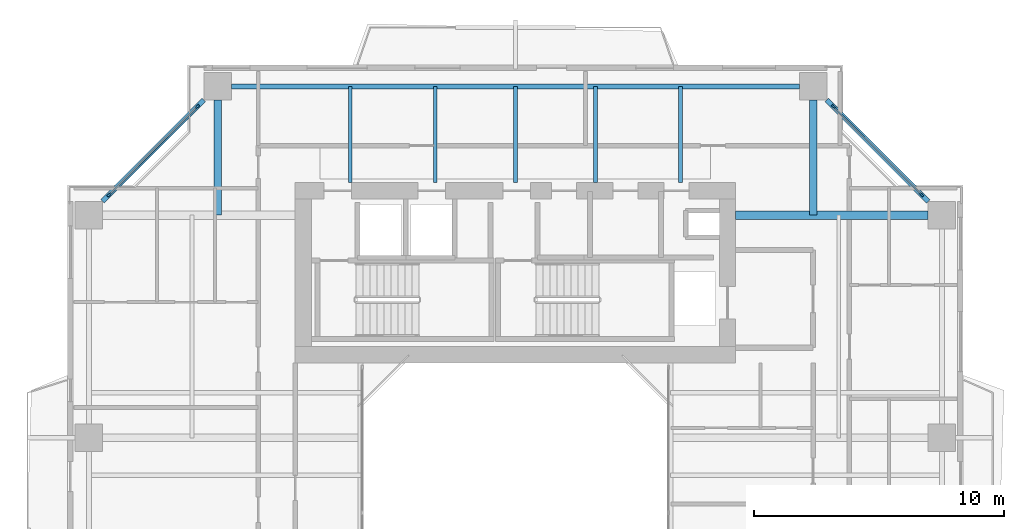
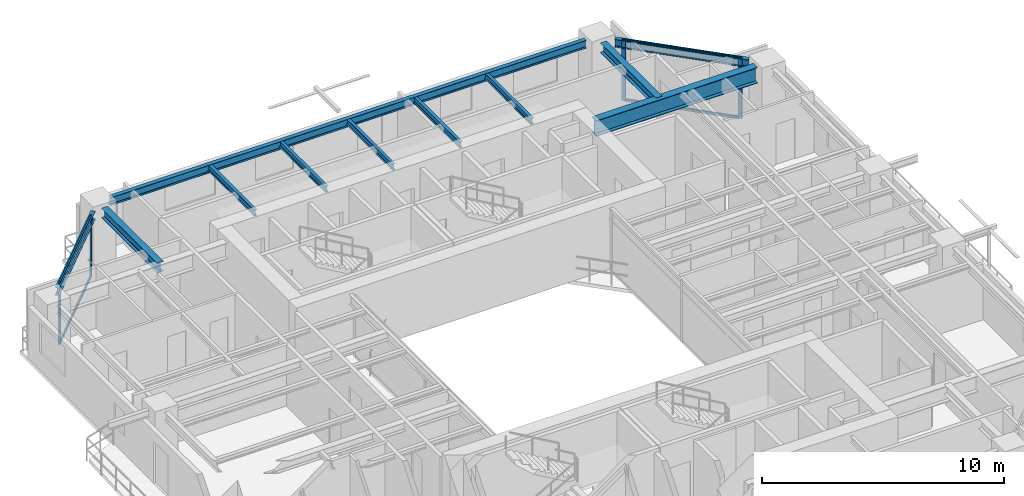
# One storey, part 8 of 17: 11 beams, 8 members, 2 elements without a shape of their own.
"""IFC4 building model written with IfcOpenShell, lengths in metres."""

from ifc_helpers import new_model, si_unit, direction, frame, origin, origin_2d, place, context, subcontext, project, spatial, rectangle, i_section, extrude, source, transform, mapped, material, layer, layer_set, material_profile, profile_set, type_object, element, aggregate, save


model = new_model("IFC4")

# Units and contexts
model_context = context("Model", 3, precision=1e-05, world=origin(), true_north=direction((0.0, 1.0)))
body_context = subcontext(model_context, "Body", "Model", "MODEL_VIEW")
ifc_project = project(units=[si_unit("LENGTHUNIT", "METRE"), si_unit("AREAUNIT", "SQUARE_METRE"), si_unit("VOLUMEUNIT", "CUBIC_METRE"), si_unit("PLANEANGLEUNIT", "RADIAN"), si_unit("MASSUNIT", "GRAM", prefix="KILO"), si_unit("THERMODYNAMICTEMPERATUREUNIT", "KELVIN"), si_unit("POWERUNIT", "WATT")], contexts=[model_context])

# Site, building, storey
site_placement = place(None, origin())
site = spatial("IfcSite", under=ifc_project, at=site_placement, CompositionType="ELEMENT")
building_placement = place(site_placement, origin())
building = spatial("IfcBuilding", under=site, at=building_placement, Name="Qiaomeng Ring Towers", CompositionType="ELEMENT")
storey_placement = place(building_placement, frame((0.0, 0.0, 129.5)))
storey = spatial("IfcBuildingStorey", under=building, at=storey_placement, Name="L37", CompositionType="ELEMENT", Elevation=129.5)

# Beams
ifc_material_1 = material(Name="Steel Q355B", Category="steel")
ifc_material_profile_1 = material_profile(ifc_material_1, i_section(OverallWidth=0.199951171875, OverallDepth=0.39990234375, WebThickness=0.008056640625, FlangeThickness=0.012939453125, FilletRadius=0.01611328125, at=origin_2d()), Name="HN 400x200x8x13")
ifc_profile_set_1 = profile_set([ifc_material_profile_1], Name="Steel Q355B")
beam_type_1 = type_object("IfcBeamType", Name="STR-BM-HN400", PredefinedType="SPANDREL", material=ifc_profile_set_1)
shared_shape_1 = source(origin(), body_context, "Body", "SweptSolid", [
    extrude(i_section(OverallWidth=0.199951171875, OverallDepth=0.39990234375, WebThickness=0.008056640625, FlangeThickness=0.012939453125, FilletRadius=0.01611328125, at=origin_2d()), origin(), (0.0, 0.0, 1.0), 22.7021484375),
])
beam_1_placement = place(storey_placement, frame((30.35107421875, 40.050048828125, 2.8701171875), z_axis=(-1.0, 0.0, 0.0), x_axis=(0.0, -1.0, 0.0)))
element("IfcBeam", 1, at=beam_1_placement, inside=storey, type_object=beam_type_1, Name="L37 beam STR-SP-L37-T1-N2-N1", PredefinedType="SPANDREL", context=body_context, shape_type="MappedRepresentation", body=[
    mapped(shared_shape_1, transform((0.0, 0.0, 0.0), x_axis=(1.0, 0.0, 0.0), y_axis=(0.0, 1.0, 0.0), z_axis=(0.0, 0.0, 1.0), scale=1.0)),
])
shared_shape_2 = source(origin(), body_context, "Body", "SweptSolid", [
    extrude(i_section(OverallWidth=0.199951171875, OverallDepth=0.39990234375, WebThickness=0.008056640625, FlangeThickness=0.012939453125, FilletRadius=0.01611328125, at=origin_2d()), origin(), (0.0, 0.0, 1.0), 5.729736328125),
])
for number, where, z_axis, x_axis, name in (
    (2, (35.500732421875, 35.44921875, 2.8701171875), (-0.707106781187, 0.707106781187, 0.0), (-0.707106781187, -0.707106781187, 0.0), "L37 beam STR-SP-L37-T1-E4-N2"),
    (3, (6.55078125, 39.500732421875, 2.8701171875), (-0.707106781187, -0.707106781187, 0.0), (0.707106781187, -0.707106781187, 0.0), "L37 beam STR-SP-L37-T1-N1-W4"),
):
    element("IfcBeam", number, at=place(storey_placement, frame(where, z_axis=z_axis, x_axis=x_axis)), inside=storey, type_object=beam_type_1, Name=name, PredefinedType="SPANDREL", context=body_context, shape_type="MappedRepresentation", body=[
        mapped(shared_shape_2, transform((0.0, 0.0, 0.0), x_axis=(1.0, 0.0, 0.0), y_axis=(0.0, 1.0, 0.0), z_axis=(0.0, 0.0, 1.0), scale=1.0)),
    ])
ifc_material_2 = material(Name="Steel Q390GJC", Category="steel")
ifc_material_profile_2 = material_profile(ifc_material_2, i_section(OverallWidth=0.35009765625, OverallDepth=0.800048828125, WebThickness=0.01611328125, FlangeThickness=0.028076171875, at=origin_2d()), Name="WH 800x350x16x28")
ifc_profile_set_2 = profile_set([ifc_material_profile_2], Name="Steel Q390GJC")
beam_type_2 = type_object("IfcBeamType", Name="STR-BM-WH800", PredefinedType="BEAM", material=ifc_profile_set_2)
shared_shape_3 = source(origin(), body_context, "Body", "SweptSolid", [
    extrude(i_section(OverallWidth=0.35009765625, OverallDepth=0.800048828125, WebThickness=0.01611328125, FlangeThickness=0.028076171875, at=origin_2d()), origin(), (0.0, 0.0, 1.0), 7.700927734375),
])
beam_2_placement = place(storey_placement, frame((27.800048828125, 34.89990234375, 2.669921875), z_axis=(1.0, 0.0, 0.0), x_axis=(0.0, 1.0, 0.0)))
element("IfcBeam", 4, at=beam_2_placement, inside=storey, type_object=beam_type_2, Name="L37 beam STR-BM-L37-T1-RAD-E4", PredefinedType="BEAM", context=body_context, shape_type="MappedRepresentation", body=[
    mapped(shared_shape_3, transform((0.0, 0.0, 0.0), x_axis=(1.0, 0.0, 0.0), y_axis=(0.0, 1.0, 0.0), z_axis=(0.0, 0.0, 1.0), scale=1.0)),
])
ifc_material_profile_3 = material_profile(ifc_material_1, i_section(OverallWidth=0.300048828125, OverallDepth=0.488037109375, WebThickness=0.010986328125, FlangeThickness=0.01806640625, FilletRadius=0.02587890625, at=origin_2d()), Name="HM 488x300x11x18")
ifc_profile_set_3 = profile_set([ifc_material_profile_3], Name="Steel Q355B")
beam_type_3 = type_object("IfcBeamType", Name="STR-BM-HM488", PredefinedType="BEAM", material=ifc_profile_set_3)
shared_shape_4 = source(origin(), body_context, "Body", "SweptSolid", [
    extrude(i_section(OverallWidth=0.300048828125, OverallDepth=0.488037109375, WebThickness=0.010986328125, FlangeThickness=0.01806640625, FilletRadius=0.02587890625, at=origin_2d()), origin(), (0.0, 0.0, 1.0), 4.60107421875),
])
for number, where, z_axis, x_axis, name in (
    (5, (7.10009765625, 39.5009765625, 2.825927734375), (0.0, -1.0, 0.0), (1.0, 0.0, 0.0), "L37 beam STR-BM-L37-T1-RAD-N1"),
    (6, (30.89990234375, 39.5009765625, 2.825927734375), (0.0, -1.0, 0.0), (1.0, 0.0, 0.0), "L37 beam STR-BM-L37-T1-RAD-N2"),
):
    element("IfcBeam", number, at=place(storey_placement, frame(where, z_axis=z_axis, x_axis=x_axis)), inside=storey, type_object=beam_type_3, Name=name, PredefinedType="BEAM", context=body_context, shape_type="MappedRepresentation", body=[
        mapped(shared_shape_4, transform((0.0, 0.0, 0.0), x_axis=(1.0, 0.0, 0.0), y_axis=(0.0, 1.0, 0.0), z_axis=(0.0, 0.0, 1.0), scale=1.0)),
    ])
ifc_material_profile_4 = material_profile(ifc_material_1, i_section(OverallWidth=0.14990234375, OverallDepth=0.300048828125, WebThickness=0.006591796875, FlangeThickness=0.009033203125, FilletRadius=0.012939453125, at=origin_2d()), Name="HN 300x150x6.5x9")
ifc_profile_set_4 = profile_set([ifc_material_profile_4], Name="Steel Q355B")
beam_type_4 = type_object("IfcBeamType", Name="STR-BM-HN300", PredefinedType="JOIST", material=ifc_profile_set_4)
shared_shape_5 = source(origin(), body_context, "Body", "SweptSolid", [
    extrude(i_section(OverallWidth=0.14990234375, OverallDepth=0.300048828125, WebThickness=0.006591796875, FlangeThickness=0.009033203125, FilletRadius=0.012939453125, at=origin_2d()), origin(), (0.0, 0.0, 1.0), 3.85009765625),
])
for number, where, z_axis, x_axis, name in (
    (7, (12.39990234375, 36.199951171875, 2.919921875), (0.0, 1.0, 0.0), (-1.0, 0.0, 0.0), "L37 beam STR-JST-L37-T1N-1"),
    (8, (15.800048828125, 36.199951171875, 2.919921875), (0.0, 1.0, 0.0), (-1.0, 0.0, 0.0), "L37 beam STR-JST-L37-T1N-2"),
    (9, (19.0, 36.199951171875, 2.919921875), (0.0, 1.0, 0.0), (-1.0, 0.0, 0.0), "L37 beam STR-JST-L37-T1N-3"),
    (10, (22.199951171875, 36.199951171875, 2.919921875), (0.0, 1.0, 0.0), (-1.0, 0.0, 0.0), "L37 beam STR-JST-L37-T1N-4"),
    (11, (25.60009765625, 36.199951171875, 2.919921875), (0.0, 1.0, 0.0), (-1.0, 0.0, 0.0), "L37 beam STR-JST-L37-T1N-5"),
):
    element("IfcBeam", number, at=place(storey_placement, frame(where, z_axis=z_axis, x_axis=x_axis)), inside=storey, type_object=beam_type_4, Name=name, PredefinedType="JOIST", context=body_context, shape_type="MappedRepresentation", body=[
        mapped(shared_shape_5, transform((0.0, 0.0, 0.0), x_axis=(1.0, 0.0, 0.0), y_axis=(0.0, 1.0, 0.0), z_axis=(0.0, 0.0, 1.0), scale=1.0)),
    ])

# Curtain wall, members
ifc_material_3 = material(Name="Fluorocarbon dark-grey aluminium", Category="aluminium")
ifc_layer = layer(ifc_material_3, 0.14990234375, Name="Fluorocarbon dark-grey aluminium")
ifc_layer_set = layer_set([ifc_layer], Name="Fluorocarbon dark-grey aluminium")
curtain_wall_type = type_object("IfcCurtainWallType", Name="ARC-CW-3", PredefinedType="NOTDEFINED", material=ifc_layer_set)
curtain_wall_1_placement = place(storey_placement, origin())
curtain_wall_1 = element("IfcCurtainWall", 12, at=curtain_wall_1_placement, inside=storey, type_object=curtain_wall_type, Name="L37 Curtain Wall CW3", PredefinedType="NOTDEFINED")
ifc_material_profile_5 = material_profile(ifc_material_3, rectangle(XDim=0.070068359375, YDim=0.179931640625, at=origin_2d()), Name="ALU MULL 70x180")
ifc_profile_set_5 = profile_set([ifc_material_profile_5], Name="Fluorocarbon dark-grey aluminium")
member_type_1 = type_object("IfcMemberType", Name="ARC-CWM-160", PredefinedType="MULLION", material=ifc_profile_set_5)
shared_shape_6 = source(origin(), body_context, "Body", "SweptSolid", [
    extrude(rectangle(XDim=0.070068359375, YDim=0.179931640625, at=origin_2d()), origin(), (0.0, 0.0, 1.0), 3.070068359375),
])
member_1_placement = place(storey_placement, frame((35.2353515625, 35.71484375, 0.0), z_axis=(0.0, 0.0, 1.0), x_axis=(-0.707106781187, -0.707106781187, 0.0)))
member_1 = element("IfcMember", 13, at=member_1_placement, type_object=member_type_1, Name="CW3 mullion 1", PredefinedType="MULLION", context=body_context, shape_type="MappedRepresentation", body=[
    mapped(shared_shape_6, transform((0.0, 0.0, 0.0), x_axis=(1.0, 0.0, 0.0), y_axis=(0.0, 1.0, 0.0), z_axis=(0.0, 0.0, 1.0), scale=1.0)),
])
member_2_placement = place(storey_placement, frame((31.71484375, 39.2353515625, 0.0), z_axis=(0.0, 0.0, 1.0), x_axis=(-0.707106781187, -0.707106781187, 0.0)))
member_2 = element("IfcMember", 14, at=member_2_placement, type_object=member_type_1, Name="CW3 mullion 2", PredefinedType="MULLION", context=body_context, shape_type="MappedRepresentation", body=[
    mapped(shared_shape_6, transform((0.0, 0.0, 0.0), x_axis=(1.0, 0.0, 0.0), y_axis=(0.0, 1.0, 0.0), z_axis=(0.0, 0.0, 1.0), scale=1.0)),
])

curtain_wall_2_placement = place(storey_placement, origin())
curtain_wall_2 = element("IfcCurtainWall", 15, at=curtain_wall_2_placement, inside=storey, type_object=curtain_wall_type, Name="L37 Curtain Wall CW3", PredefinedType="NOTDEFINED")
member_3_placement = place(storey_placement, frame((6.28515625, 39.2353515625, 0.0), z_axis=(0.0, 0.0, 1.0), x_axis=(0.707106781187, -0.707106781187, 0.0)))
member_3 = element("IfcMember", 16, at=member_3_placement, type_object=member_type_1, Name="CW3 mullion 1", PredefinedType="MULLION", context=body_context, shape_type="MappedRepresentation", body=[
    mapped(shared_shape_6, transform((0.0, 0.0, 0.0), x_axis=(1.0, 0.0, 0.0), y_axis=(0.0, 1.0, 0.0), z_axis=(0.0, 0.0, 1.0), scale=1.0)),
])
member_4_placement = place(storey_placement, frame((2.7646484375, 35.71484375, 0.0), z_axis=(0.0, 0.0, 1.0), x_axis=(0.707106781187, -0.707106781187, 0.0)))
member_4 = element("IfcMember", 17, at=member_4_placement, type_object=member_type_1, Name="CW3 mullion 2", PredefinedType="MULLION", context=body_context, shape_type="MappedRepresentation", body=[
    mapped(shared_shape_6, transform((0.0, 0.0, 0.0), x_axis=(1.0, 0.0, 0.0), y_axis=(0.0, 1.0, 0.0), z_axis=(0.0, 0.0, 1.0), scale=1.0)),
])

# Member
ifc_material_profile_6 = material_profile(ifc_material_3, rectangle(XDim=0.06494140625, YDim=0.1298828125, at=origin_2d()), Name="ALU TRAN 65x130")
ifc_profile_set_6 = profile_set([ifc_material_profile_6], Name="Fluorocarbon dark-grey aluminium")
member_type_2 = type_object("IfcMemberType", Name="ARC-CWT-120", PredefinedType="USERDEFINED", material=ifc_profile_set_6)
shared_shape_7 = source(origin(), body_context, "Body", "SweptSolid", [
    extrude(rectangle(XDim=0.06494140625, YDim=0.1298828125, at=origin_2d()), origin(), (0.0, 0.0, 1.0), 4.90869140625),
])
member_5_placement = place(storey_placement, frame((35.21044921875, 35.739501953125, 0.032470703125), z_axis=(-0.707106781187, 0.707106781187, 0.0), x_axis=(-0.707106781187, -0.707106781187, 0.0)))
member_5 = element("IfcMember", 18, at=member_5_placement, type_object=member_type_2, Name="CW3 transom 1.1", ObjectType="TRANSOM", PredefinedType="USERDEFINED", context=body_context, shape_type="MappedRepresentation", body=[
    mapped(shared_shape_7, transform((0.0, 0.0, 0.0), x_axis=(1.0, 0.0, 0.0), y_axis=(0.0, 1.0, 0.0), z_axis=(0.0, 0.0, 1.0), scale=1.0)),
])

member_6_placement = place(storey_placement, frame((35.21044921875, 35.739501953125, 3.03759765625), z_axis=(-0.707106781187, 0.707106781187, 0.0), x_axis=(-0.707106781187, -0.707106781187, 0.0)))
member_6 = element("IfcMember", 19, at=member_6_placement, type_object=member_type_2, Name="CW3 transom 1.2", ObjectType="TRANSOM", PredefinedType="USERDEFINED", context=body_context, shape_type="MappedRepresentation", body=[
    mapped(shared_shape_7, transform((0.0, 0.0, 0.0), x_axis=(1.0, 0.0, 0.0), y_axis=(0.0, 1.0, 0.0), z_axis=(0.0, 0.0, 1.0), scale=1.0)),
])

aggregate(curtain_wall_1, [member_1, member_2, member_5, member_6])

member_7_placement = place(storey_placement, frame((6.260498046875, 39.21044921875, 0.032470703125), z_axis=(-0.707106781187, -0.707106781187, 0.0), x_axis=(0.707106781187, -0.707106781187, 0.0)))
member_7 = element("IfcMember", 20, at=member_7_placement, type_object=member_type_2, Name="CW3 transom 1.1", ObjectType="TRANSOM", PredefinedType="USERDEFINED", context=body_context, shape_type="MappedRepresentation", body=[
    mapped(shared_shape_7, transform((0.0, 0.0, 0.0), x_axis=(1.0, 0.0, 0.0), y_axis=(0.0, 1.0, 0.0), z_axis=(0.0, 0.0, 1.0), scale=1.0)),
])

member_8_placement = place(storey_placement, frame((6.260498046875, 39.21044921875, 3.03759765625), z_axis=(-0.707106781187, -0.707106781187, 0.0), x_axis=(0.707106781187, -0.707106781187, 0.0)))
member_8 = element("IfcMember", 21, at=member_8_placement, type_object=member_type_2, Name="CW3 transom 1.2", ObjectType="TRANSOM", PredefinedType="USERDEFINED", context=body_context, shape_type="MappedRepresentation", body=[
    mapped(shared_shape_7, transform((0.0, 0.0, 0.0), x_axis=(1.0, 0.0, 0.0), y_axis=(0.0, 1.0, 0.0), z_axis=(0.0, 0.0, 1.0), scale=1.0)),
])

aggregate(curtain_wall_2, [member_3, member_4, member_7, member_8])

save(model, "model.ifc")
